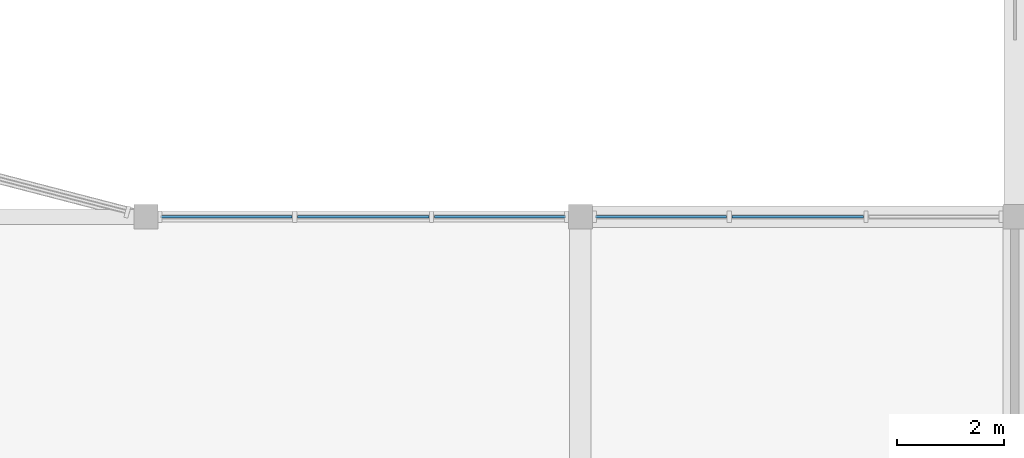
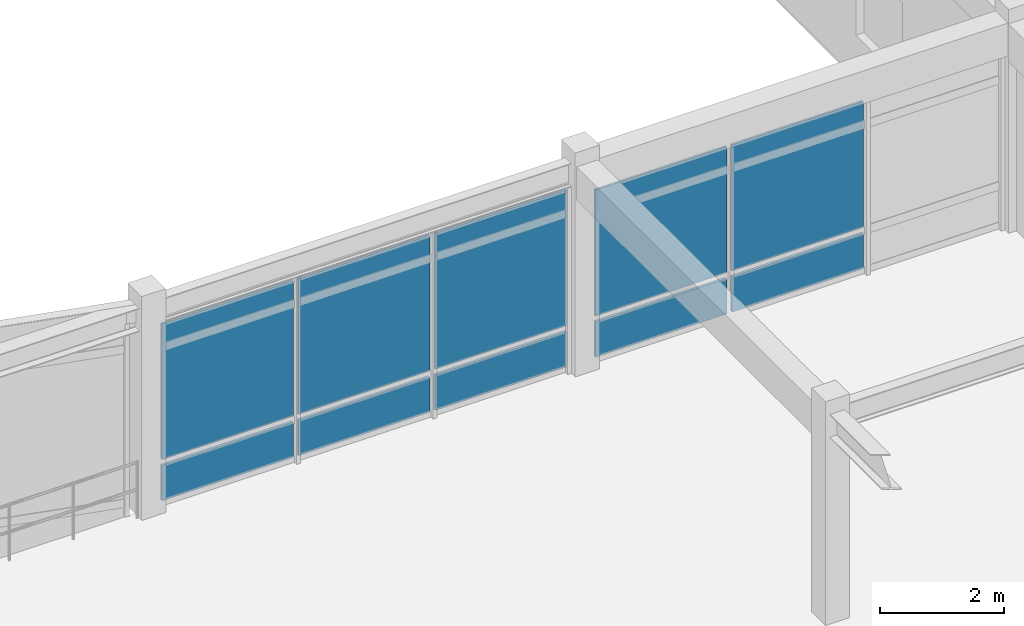
# One storey, part 52 of 89: 10 plates, 2 elements without a shape of their own.
"""IFC4 building model written with IfcOpenShell, lengths in metres."""

import ifcopenshell
import ifcopenshell.guid

model = None  # the IFC model being written
_history = None  # IfcOwnerHistory: only IFC2X3 demands one
_inside = {}  # id of a spatial element -> (the spatial element, [elements in it])
_under = {}  # id of a project, library or spatial element -> (it, [spatial elements below it])
_declared = {}  # id of a project -> (the project, [libraries it declares])
_typed = {}  # id of a type object -> (the type object, [elements of that type])
_made_of = {}  # id of a material, layer set ... -> (it, [elements and type objects made of it])


def new_model(schema):
    """Start an empty IFC model of exactly this schema.

    Asked for "IFC4X3", IfcOpenShell would pick the latest addendum, in which some entities
    have other attributes; the version numbers below select the first issue.
    IFC2X3 requires an IfcOwnerHistory on every rooted entity: one is made here for all.
    """
    global model, _history
    if schema == "IFC4X3":
        model = ifcopenshell.file(schema_version=(4, 3, 0, 0))
    else:
        model = ifcopenshell.file(schema=schema)
    _inside.clear()
    _under.clear()
    _declared.clear()
    _typed.clear()
    _made_of.clear()
    _history = None
    if model.schema == "IFC2X3":
        org = make("IfcOrganization", Name="unknown")
        user = make(
            "IfcPersonAndOrganization",
            ThePerson=make("IfcPerson", FamilyName="unknown"),
            TheOrganization=org,
        )
        app = make(
            "IfcApplication",
            ApplicationDeveloper=org,
            Version="unknown",
            ApplicationFullName="unknown",
            ApplicationIdentifier="unknown",
        )
        _history = make(
            "IfcOwnerHistory",
            OwningUser=user,
            OwningApplication=app,
            ChangeAction="ADDED",
            CreationDate=0,
        )
    return model


def make(cls, **values):
    """One entity of the class cls with the attributes given. An attribute that is None is left unset."""
    return model.create_entity(
        cls, **{name: value for name, value in values.items() if value is not None}
    )


def rooted(cls, **values):
    """An entity with a GlobalId (a new one), such as an element, a storey or a relation."""
    return make(cls, GlobalId=ifcopenshell.guid.new(), OwnerHistory=_history, **values)


def si_unit(unit_type, name, prefix=None):
    """IfcSIUnit, for example si_unit("LENGTHUNIT", "METRE", prefix="MILLI")."""
    return make("IfcSIUnit", UnitType=unit_type, Prefix=prefix, Name=name)


def assignment(units):
    """IfcUnitAssignment: the units of a project."""
    return None if units is None else make("IfcUnitAssignment", Units=units)


def point(xyz):
    """IfcCartesianPoint."""
    return None if xyz is None else make("IfcCartesianPoint", Coordinates=xyz)


def direction(xyz):
    """IfcDirection."""
    return None if xyz is None else make("IfcDirection", DirectionRatios=xyz)


def frame(location, z_axis=None, x_axis=None):
    """IfcAxis2Placement3D, a coordinate frame: its origin and axes. An axis left out is left unset."""
    return make(
        "IfcAxis2Placement3D",
        Location=point(location),
        Axis=direction(z_axis),
        RefDirection=direction(x_axis),
    )


def frame_2d(location, x_axis=None):
    """IfcAxis2Placement2D, a coordinate frame in the plane: its origin and x axis."""
    return make(
        "IfcAxis2Placement2D", Location=point(location), RefDirection=direction(x_axis)
    )


def origin():
    """The frame at (0, 0, 0) with its axes left unset."""
    return frame((0.0, 0.0, 0.0))


def origin_2d():
    """The frame at (0, 0) in the plane with its x axis left unset."""
    return frame_2d((0.0, 0.0))


def place(relative_to, where):
    """IfcLocalPlacement: puts the frame where relative to a parent placement (None: the world)."""
    return make(
        "IfcLocalPlacement", PlacementRelTo=relative_to, RelativePlacement=where
    )


def context(
    kind, dimensions, precision=None, world=None, true_north=None, identifier=None
):
    """IfcGeometricRepresentationContext, for example the 3D "Model" context."""
    return make(
        "IfcGeometricRepresentationContext",
        ContextIdentifier=identifier,
        ContextType=kind,
        CoordinateSpaceDimension=dimensions,
        Precision=precision,
        WorldCoordinateSystem=world,
        TrueNorth=true_north,
    )


def subcontext(parent, identifier, kind, view, scale=None):
    """IfcGeometricRepresentationSubContext, for example "Body" below "Model"."""
    return make(
        "IfcGeometricRepresentationSubContext",
        ContextIdentifier=identifier,
        ContextType=kind,
        ParentContext=parent,
        TargetScale=scale,
        TargetView=view,
    )


def project(units=None, contexts=None):
    """IfcProject with its units and contexts."""
    return rooted(
        "IfcProject",
        Name="project",
        RepresentationContexts=contexts,
        UnitsInContext=assignment(units),
    )


def spatial(cls, under=None, at=None, **own):
    """A site, building, storey or space (cls), placed at a placement, below another one or the project."""
    s = rooted(cls, ObjectPlacement=at, **own)
    if under is not None:
        _under.setdefault(under.id(), (under, []))[1].append(s)
    return s


def profile(cls, at=None, kind="AREA", **sizes):
    """A parametric profile (cls). Its sizes go by their IFC names, for example OverallWidth=200.0."""
    return make(cls, ProfileType=kind, Position=at, **sizes)


def rectangle(**sizes):
    """IfcRectangleProfileDef."""
    return profile("IfcRectangleProfileDef", **sizes)


def extrude(swept, where, along, depth):
    """IfcExtrudedAreaSolid: the profile swept, set in the frame where, extruded along a direction by depth."""
    return make(
        "IfcExtrudedAreaSolid",
        SweptArea=swept,
        Position=where,
        ExtrudedDirection=direction(along),
        Depth=depth,
    )


def shape(context_of_items, identifier, shape_type, items):
    """IfcShapeRepresentation: the items that make up one representation, for example the "Body"."""
    return make(
        "IfcShapeRepresentation",
        ContextOfItems=context_of_items,
        RepresentationIdentifier=identifier,
        RepresentationType=shape_type,
        Items=items,
    )


def material(Name=None, Category=None):
    """IfcMaterial."""
    return make("IfcMaterial", Name=Name, Category=Category)


def layer(
    of_material, thickness, ventilated=None, Name=None, Category=None, Priority=None
):
    """IfcMaterialLayer: one layer of a wall or slab, of a material (None: an air gap)."""
    return make(
        "IfcMaterialLayer",
        Material=of_material,
        LayerThickness=thickness,
        IsVentilated=ventilated,
        Name=Name,
        Category=Category,
        Priority=Priority,
    )


def layer_set(layers, Name=None):
    """IfcMaterialLayerSet."""
    return make("IfcMaterialLayerSet", MaterialLayers=layers, LayerSetName=Name)


def made_of(thing, what):
    """Note that an element or type object is made of a material, layer set ...; save() writes the relation."""
    if what is not None:
        _made_of.setdefault(what.id(), (what, []))[1].append(thing)
    return thing


def type_object(cls, material=None, **own):
    """A type object (cls), such as IfcWallType, which elements share."""
    return made_of(rooted(cls, **own), material)


def element(
    cls,
    number,
    at=None,
    inside=None,
    cuts=None,
    type_object=None,
    material=None,
    context=None,
    identifier="Body",
    shape_type=None,
    held_by="IfcProductDefinitionShape",
    body=None,
    shapes=None,
    **own,
):
    """One element of the class cls, such as IfcWall. Its Tag is "e" and its number.

    at: its placement. inside: the storey or other place that contains it. cuts: it is an
    opening in that element (IfcRelVoidsElement). A single representation is given by context,
    identifier, shape_type and body (its items); several are given by shapes. held_by: the class
    of the entity that holds the representations. save() writes the other relations.
    """
    e = rooted(cls, Tag="e%d" % number, ObjectPlacement=at, **own)
    if body is not None:
        shapes = [shape(context, identifier, shape_type, body)]
    if shapes is not None:
        e.Representation = make(held_by, Representations=shapes)
    if inside is not None:
        _inside.setdefault(inside.id(), (inside, []))[1].append(e)
    if cuts is not None:
        rooted(
            "IfcRelVoidsElement", RelatingBuildingElement=cuts, RelatedOpeningElement=e
        )
    if type_object is not None:
        _typed.setdefault(type_object.id(), (type_object, []))[1].append(e)
    return made_of(e, material)


def aggregate(whole, parts):
    """IfcRelAggregates: a whole, such as a stair, and the parts it consists of."""
    return rooted("IfcRelAggregates", RelatingObject=whole, RelatedObjects=parts)


def save(model, path):
    """Write the relations noted so far, then the file.

    IfcRelAggregates (storeys below a building ...), IfcRelContainedInSpatialStructure (elements
    in a storey), IfcRelDefinesByType, IfcRelAssociatesMaterial and IfcRelDeclares: one each for
    every whole, place, type object, material and project.
    """
    for whole, parts in _under.values():
        aggregate(whole, parts)
    for where, things in _inside.values():
        rooted(
            "IfcRelContainedInSpatialStructure",
            RelatedElements=things,
            RelatingStructure=where,
        )
    for kind, things in _typed.values():
        rooted("IfcRelDefinesByType", RelatedObjects=things, RelatingType=kind)
    for what, things in _made_of.values():
        rooted("IfcRelAssociatesMaterial", RelatedObjects=things, RelatingMaterial=what)
    for by, libraries in _declared.values():
        rooted("IfcRelDeclares", RelatingContext=by, RelatedDefinitions=libraries)
    model.write(path)


model = new_model("IFC4")

# Units and contexts
model_context = context("Model", 3, precision=1e-05, world=origin(), true_north=direction((0.0, 1.0)))
body_context = subcontext(model_context, "Body", "Model", "MODEL_VIEW")
ifc_project = project(units=[si_unit("LENGTHUNIT", "METRE"), si_unit("AREAUNIT", "SQUARE_METRE"), si_unit("VOLUMEUNIT", "CUBIC_METRE"), si_unit("PLANEANGLEUNIT", "RADIAN"), si_unit("MASSUNIT", "GRAM", prefix="KILO")], contexts=[model_context])

# Site, building, storey
site_placement = place(None, origin())
site = spatial("IfcSite", under=ifc_project, at=site_placement, CompositionType="ELEMENT")
building_placement = place(site_placement, origin())
building = spatial("IfcBuilding", under=site, at=building_placement, Name="Vaudrelin Polytechnic", CompositionType="ELEMENT")
storey_placement = place(building_placement, frame((0.0, 0.0, 9.68994140625)))
storey = spatial("IfcBuildingStorey", under=building, at=storey_placement, Name="L02", CompositionType="ELEMENT", Elevation=9.68994140625)

# Curtain wall, plates
ifc_material_1 = material(Name="Thermally broken anodised aluminium AA 6063-T6 and low-e triple glazing", Category="aluminium")
ifc_layer_1 = layer(ifc_material_1, 0.199951171875)
ifc_layer_set_1 = layer_set([ifc_layer_1], Name="Thermally broken anodised aluminium AA 6063-T6 and low-e triple glazing")
curtain_wall_type = type_object("IfcCurtainWallType", Name="CW-CW-WG", PredefinedType="USERDEFINED", material=ifc_layer_set_1)
curtain_wall_1_placement = place(storey_placement, origin())
curtain_wall_1 = element("IfcCurtainWall", 1, at=curtain_wall_1_placement, inside=storey, type_object=curtain_wall_type, Name="Curtain wall L02 CT_S_08", ObjectType="CURTAIN WALL", PredefinedType="USERDEFINED")
ifc_material_2 = material(Name="Insulated ceramic-frit spandrel glass panel", Category="glass")
ifc_layer_2 = layer(ifc_material_2, 0.052001953125)
ifc_layer_set_2 = layer_set([ifc_layer_2], Name="Insulated ceramic-frit spandrel glass panel")
plate_type_1 = type_object("IfcPlateType", Name="PLT-GLZ-SPAND", PredefinedType="CURTAIN_PANEL", material=ifc_layer_set_2)
plate_1_placement = place(storey_placement, frame((114.898681640625, 48.60009765625, 0.08984375), z_axis=(0.0, 0.0, 1.0), x_axis=(1.0, 0.0, 0.0)))
plate_1 = element("IfcPlate", 2, at=plate_1_placement, type_object=plate_type_1, Name="CT_S_08 spandrel panel 1", PredefinedType="CURTAIN_PANEL", context=body_context, shape_type="SweptSolid", body=[
    extrude(rectangle(XDim=2.451416015625, YDim=0.052001953125, at=origin_2d()), origin(), (0.0, 0.0, 1.0), 0.699951171875),
])
plate_2_placement = place(storey_placement, frame((117.449951171875, 48.60009765625, 0.08984375), z_axis=(0.0, 0.0, 1.0), x_axis=(1.0, 0.0, 0.0)))
plate_2 = element("IfcPlate", 3, at=plate_2_placement, type_object=plate_type_1, Name="CT_S_08 spandrel panel 2", PredefinedType="CURTAIN_PANEL", context=body_context, shape_type="SweptSolid", body=[
    extrude(rectangle(XDim=2.451416015625, YDim=0.052001953125, at=origin_2d()), origin(), (0.0, 0.0, 1.0), 0.699951171875),
])
plate_3_placement = place(storey_placement, frame((120.001220703125, 48.60009765625, 0.08984375), z_axis=(0.0, 0.0, 1.0), x_axis=(1.0, 0.0, 0.0)))
plate_3 = element("IfcPlate", 4, at=plate_3_placement, type_object=plate_type_1, Name="CT_S_08 spandrel panel 3", PredefinedType="CURTAIN_PANEL", context=body_context, shape_type="SweptSolid", body=[
    extrude(rectangle(XDim=2.451416015625, YDim=0.052001953125, at=origin_2d()), origin(), (0.0, 0.0, 1.0), 0.699951171875),
])

curtain_wall_2_placement = place(storey_placement, origin())
curtain_wall_2 = element("IfcCurtainWall", 5, at=curtain_wall_2_placement, inside=storey, type_object=curtain_wall_type, Name="Curtain wall L02 CT_S_09", ObjectType="CURTAIN WALL", PredefinedType="USERDEFINED")
plate_4_placement = place(storey_placement, frame((122.998779296875, 48.60009765625, 0.08984375), z_axis=(0.0, 0.0, 1.0), x_axis=(1.0, 0.0, 0.0)))
plate_4 = element("IfcPlate", 6, at=plate_4_placement, type_object=plate_type_1, Name="CT_S_09 spandrel panel 1", PredefinedType="CURTAIN_PANEL", context=body_context, shape_type="SweptSolid", body=[
    extrude(rectangle(XDim=2.451416015625, YDim=0.052001953125, at=origin_2d()), origin(), (0.0, 0.0, 1.0), 0.699951171875),
])
plate_5_placement = place(storey_placement, frame((125.550048828125, 48.60009765625, 0.08984375), z_axis=(0.0, 0.0, 1.0), x_axis=(1.0, 0.0, 0.0)))
plate_5 = element("IfcPlate", 7, at=plate_5_placement, type_object=plate_type_1, Name="CT_S_09 spandrel panel 2", PredefinedType="CURTAIN_PANEL", context=body_context, shape_type="SweptSolid", body=[
    extrude(rectangle(XDim=2.451416015625, YDim=0.052001953125, at=origin_2d()), origin(), (0.0, 0.0, 1.0), 0.699951171875),
])

# Plate
ifc_material_3 = material(Name="Triple low-e argon insulated glazing unit", Category="glass")
ifc_layer_3 = layer(ifc_material_3, 0.0439453125)
ifc_layer_set_3 = layer_set([ifc_layer_3], Name="Triple low-e argon insulated glazing unit")
plate_type_2 = type_object("IfcPlateType", Name="PLT-GLZ-TRIPLE", PredefinedType="CURTAIN_PANEL", material=ifc_layer_set_3)
plate_6_placement = place(storey_placement, frame((114.898681640625, 48.60009765625, 0.89990234375), z_axis=(0.0, 0.0, 1.0), x_axis=(1.0, 0.0, 0.0)))
plate_6 = element("IfcPlate", 8, at=plate_6_placement, type_object=plate_type_2, Name="CT_S_08 vision panel 1", PredefinedType="CURTAIN_PANEL", context=body_context, shape_type="SweptSolid", body=[
    extrude(rectangle(XDim=2.451416015625, YDim=0.0439453125, at=origin_2d()), origin(), (0.0, 0.0, 1.0), 2.681884765625),
])

plate_7_placement = place(storey_placement, frame((117.449951171875, 48.60009765625, 0.89990234375), z_axis=(0.0, 0.0, 1.0), x_axis=(1.0, 0.0, 0.0)))
plate_7 = element("IfcPlate", 9, at=plate_7_placement, type_object=plate_type_2, Name="CT_S_08 vision panel 2", PredefinedType="CURTAIN_PANEL", context=body_context, shape_type="SweptSolid", body=[
    extrude(rectangle(XDim=2.451416015625, YDim=0.0439453125, at=origin_2d()), origin(), (0.0, 0.0, 1.0), 2.681884765625),
])

plate_8_placement = place(storey_placement, frame((120.001220703125, 48.60009765625, 0.89990234375), z_axis=(0.0, 0.0, 1.0), x_axis=(1.0, 0.0, 0.0)))
plate_8 = element("IfcPlate", 10, at=plate_8_placement, type_object=plate_type_2, Name="CT_S_08 vision panel 3", PredefinedType="CURTAIN_PANEL", context=body_context, shape_type="SweptSolid", body=[
    extrude(rectangle(XDim=2.451416015625, YDim=0.0439453125, at=origin_2d()), origin(), (0.0, 0.0, 1.0), 2.681884765625),
])

aggregate(curtain_wall_1, [plate_1, plate_6, plate_2, plate_7, plate_3, plate_8])

plate_9_placement = place(storey_placement, frame((122.998779296875, 48.60009765625, 0.89990234375), z_axis=(0.0, 0.0, 1.0), x_axis=(1.0, 0.0, 0.0)))
plate_9 = element("IfcPlate", 11, at=plate_9_placement, type_object=plate_type_2, Name="CT_S_09 vision panel 1", PredefinedType="CURTAIN_PANEL", context=body_context, shape_type="SweptSolid", body=[
    extrude(rectangle(XDim=2.451416015625, YDim=0.0439453125, at=origin_2d()), origin(), (0.0, 0.0, 1.0), 2.491943359375),
])

plate_10_placement = place(storey_placement, frame((125.550048828125, 48.60009765625, 0.89990234375), z_axis=(0.0, 0.0, 1.0), x_axis=(1.0, 0.0, 0.0)))
plate_10 = element("IfcPlate", 12, at=plate_10_placement, type_object=plate_type_2, Name="CT_S_09 vision panel 2", PredefinedType="CURTAIN_PANEL", context=body_context, shape_type="SweptSolid", body=[
    extrude(rectangle(XDim=2.451416015625, YDim=0.0439453125, at=origin_2d()), origin(), (0.0, 0.0, 1.0), 2.491943359375),
])

aggregate(curtain_wall_2, [plate_4, plate_9, plate_5, plate_10])

save(model, "model.ifc")
